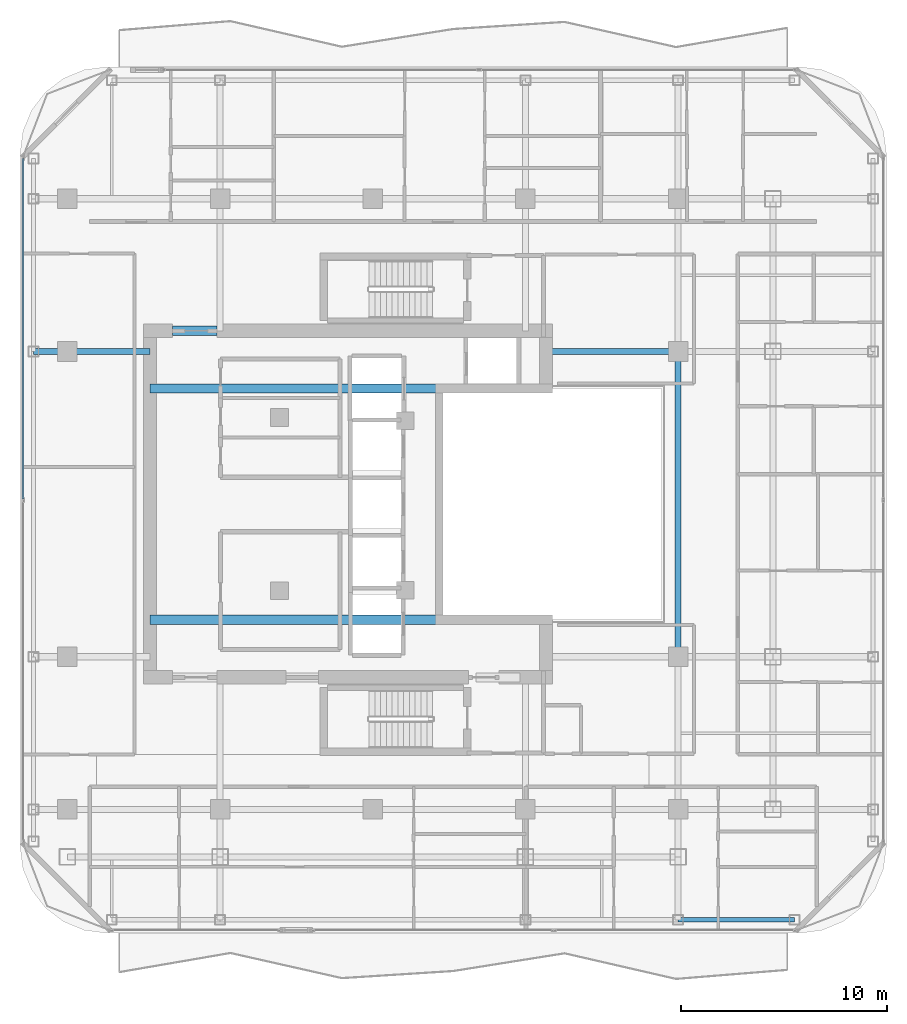
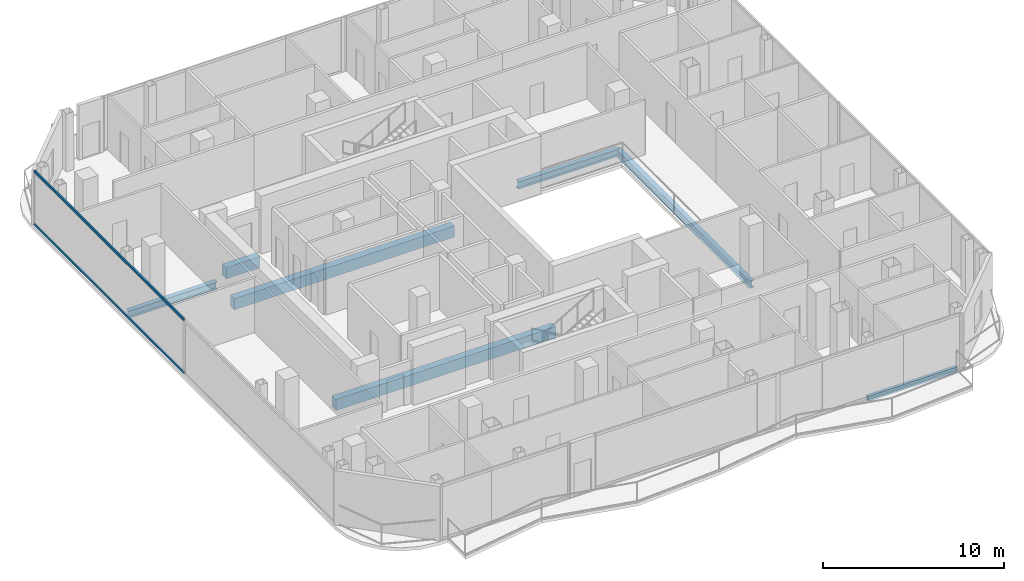
# One storey, part 6 of 23: 7 beams, 2 members, 1 element without a shape of its own.
"""IFC4 building model written with IfcOpenShell, lengths in metres."""

from ifc_helpers import new_model, si_unit, direction, frame, origin, origin_2d, place, context, subcontext, project, spatial, rectangle, hollow_rectangle, i_section, extrude, material, layer, layer_set, material_profile, profile_set, type_object, element, aggregate, save


model = new_model("IFC4")

# Units and contexts
model_context = context("Model", 3, precision=1e-05, world=origin(), true_north=direction((0.0, 1.0)))
body_context = subcontext(model_context, "Body", "Model", "MODEL_VIEW")
ifc_project = project(units=[si_unit("LENGTHUNIT", "METRE"), si_unit("AREAUNIT", "SQUARE_METRE"), si_unit("VOLUMEUNIT", "CUBIC_METRE"), si_unit("PLANEANGLEUNIT", "RADIAN"), si_unit("MASSUNIT", "GRAM", prefix="KILO")], contexts=[model_context])

# Site, building, storey
site_placement = place(None, origin())
site = spatial("IfcSite", under=ifc_project, at=site_placement, CompositionType="ELEMENT")
building_placement = place(site_placement, origin())
building = spatial("IfcBuilding", under=site, at=building_placement, Name="Khorvyn Point Tower", CompositionType="ELEMENT")
storey_placement = place(building_placement, frame((0.0, 0.0, 258.60009765625)))
storey = spatial("IfcBuildingStorey", under=building, at=storey_placement, Name="L63", CompositionType="ELEMENT", Elevation=258.60009765625)

# Curtain wall, members
ifc_material_1 = material(Name="Anodised aluminium 6063-T6 and laminated Low-E glass", Category="aluminium")
ifc_layer = layer(ifc_material_1, 0.18994140625)
ifc_layer_set = layer_set([ifc_layer], Name="Stick-Built High-Wind Curtain Wall CW-SYS-04")
curtain_wall_type = type_object("IfcCurtainWallType", Name="Stick-Built High-Wind Curtain Wall CW-SYS-04", PredefinedType="NOTDEFINED", material=ifc_layer_set)
curtain_wall_placement = place(storey_placement, origin())
curtain_wall = element("IfcCurtainWall", 1, at=curtain_wall_placement, inside=storey, type_object=curtain_wall_type, Name="Curtain Wall", PredefinedType="NOTDEFINED")
ifc_material_2 = material(Name="Anodised aluminium 6063-T6", Category="aluminium")
ifc_material_profile_1 = material_profile(ifc_material_2, hollow_rectangle(XDim=0.10009765625, YDim=0.159912109375, WallThickness=0.00439453125, at=origin_2d()))
ifc_profile_set_1 = profile_set([ifc_material_profile_1], Name="Anodised aluminium 6063-T6 ALU-TRN-100x160")
member_type = type_object("IfcMemberType", Name="Anodised Aluminium 6063-T6 Transom ALU-TRN-100x160", PredefinedType="USERDEFINED", material=ifc_profile_set_1)
member_1_placement = place(storey_placement, frame((-16.949951171875, 0.25, 0.0498046875), z_axis=(0.0, 1.0, 0.0), x_axis=(-1.0, 0.0, 0.0)))
member_1 = element("IfcMember", 2, at=member_1_placement, type_object=member_type, Name="Transom", ObjectType="TRANSOM", PredefinedType="USERDEFINED", context=body_context, shape_type="SweptSolid", body=[
    extrude(hollow_rectangle(XDim=0.10009765625, YDim=0.159912109375, WallThickness=0.00439453125, at=origin_2d()), origin(), (0.0, 0.0, 1.0), 16.5),
])
member_2_placement = place(storey_placement, frame((-16.949951171875, 0.25, 3.6298828125), z_axis=(0.0, 1.0, 0.0), x_axis=(-1.0, 0.0, 0.0)))
member_2 = element("IfcMember", 3, at=member_2_placement, type_object=member_type, Name="Transom", ObjectType="TRANSOM", PredefinedType="USERDEFINED", context=body_context, shape_type="SweptSolid", body=[
    extrude(hollow_rectangle(XDim=0.10009765625, YDim=0.159912109375, WallThickness=0.00439453125, at=origin_2d()), origin(), (0.0, 0.0, 1.0), 16.5),
])
aggregate(curtain_wall, [member_1, member_2])

# Beams
ifc_material_3 = material(Name="Concrete C40/50", Category="concrete")
ifc_material_profile_2 = material_profile(ifc_material_3, rectangle(XDim=0.449951171875, YDim=0.75, at=origin_2d()))
ifc_profile_set_2 = profile_set([ifc_material_profile_2], Name="Concrete C40/50 RC450x750")
beam_type_1 = type_object("IfcBeamType", Name="Concrete C40/50 Beam RC450x750", PredefinedType="BEAM", material=ifc_profile_set_2)
for number, where, z_axis, x_axis, name in (
    (4, (-10.800048828125, -5.60009765625, -0.59521484375), (1.0, 0.0, 0.0), (0.0, 1.0, 0.0), "L63 Core Internal Tie Girder S"),
    (5, (-10.800048828125, 5.60009765625, -0.59521484375), (1.0, 0.0, 0.0), (0.0, 1.0, 0.0), "L63 Core Internal Tie Girder N"),
):
    element("IfcBeam", number, at=place(storey_placement, frame(where, z_axis=z_axis, x_axis=x_axis)), inside=storey, type_object=beam_type_1, Name=name, PredefinedType="BEAM", context=body_context, shape_type="SweptSolid", body=[
        extrude(rectangle(XDim=0.449951171875, YDim=0.75, at=origin_2d()), origin(), (0.0, 0.0, 1.0), 14.02001953125),
    ])
beam_1_placement = place(storey_placement, frame((-9.699951171875, 8.39990234375, -0.59521484375), z_axis=(1.0, 0.0, 0.0), x_axis=(0.0, 1.0, 0.0)))
element("IfcBeam", 6, at=beam_1_placement, inside=storey, type_object=beam_type_1, Name="L63 Core Northwest Portal Coupling Beam", PredefinedType="BEAM", context=body_context, shape_type="SweptSolid", body=[
    extrude(rectangle(XDim=0.449951171875, YDim=0.75, at=origin_2d()), origin(), (0.0, 0.0, 1.0), 2.14990234375),
])
ifc_material_4 = material(Name="Steel S355", Category="steel")
ifc_material_profile_3 = material_profile(ifc_material_4, i_section(OverallWidth=0.300048828125, OverallDepth=0.488037109375, WebThickness=0.010986328125, FlangeThickness=0.01806640625, at=origin_2d()))
ifc_profile_set_3 = profile_set([ifc_material_profile_3], Name="Steel S355 H488x300x11x18")
beam_type_2 = type_object("IfcBeamType", Name="Steel S355 Spandrel H488x300x11x18", PredefinedType="SPANDREL", material=ifc_profile_set_3)
beam_2_placement = place(storey_placement, frame((-16.449951171875, 7.39990234375, -0.464111328125), z_axis=(1.0, 0.0, 0.0), x_axis=(0.0, 1.0, 0.0)))
element("IfcBeam", 7, at=beam_2_placement, inside=storey, type_object=beam_type_2, Name="Beam", PredefinedType="SPANDREL", context=body_context, shape_type="SweptSolid", body=[
    extrude(i_section(OverallWidth=0.300048828125, OverallDepth=0.488037109375, WebThickness=0.010986328125, FlangeThickness=0.01806640625, at=origin_2d()), origin(), (0.0, 0.0, 1.0), 5.64990234375),
])
beam_3_placement = place(storey_placement, frame((8.39990234375, 7.39990234375, -0.464111328125), z_axis=(1.0, 0.0, 0.0), x_axis=(0.0, 1.0, 0.0)))
element("IfcBeam", 8, at=beam_3_placement, inside=storey, type_object=beam_type_2, Name="Beam", PredefinedType="SPANDREL", context=body_context, shape_type="SweptSolid", body=[
    extrude(i_section(OverallWidth=0.300048828125, OverallDepth=0.488037109375, WebThickness=0.010986328125, FlangeThickness=0.01806640625, at=origin_2d()), origin(), (0.0, 0.0, 1.0), 6.400146484375),
])
beam_4_placement = place(storey_placement, frame((14.800048828125, -7.39990234375, -0.464111328125), z_axis=(0.0, 1.0, 0.0), x_axis=(-1.0, 0.0, 0.0)))
element("IfcBeam", 9, at=beam_4_placement, inside=storey, type_object=beam_type_2, Name="Beam", PredefinedType="SPANDREL", context=body_context, shape_type="SweptSolid", body=[
    extrude(i_section(OverallWidth=0.300048828125, OverallDepth=0.488037109375, WebThickness=0.010986328125, FlangeThickness=0.01806640625, at=origin_2d()), origin(), (0.0, 0.0, 1.0), 14.7998046875),
])
ifc_material_profile_4 = material_profile(ifc_material_4, hollow_rectangle(XDim=0.199951171875, YDim=0.35009765625, WallThickness=0.013916015625, at=origin_2d()))
ifc_profile_set_4 = profile_set([ifc_material_profile_4], Name="Steel S355 RHS350x200x14")
beam_type_3 = type_object("IfcBeamType", Name="Steel S355 Spandrel RHS350x200x14", PredefinedType="SPANDREL", material=ifc_profile_set_4)
beam_5_placement = place(storey_placement, frame((14.800048828125, -20.14990234375, -0.39501953125), z_axis=(1.0, 0.0, 0.0), x_axis=(0.0, 1.0, 0.0)))
element("IfcBeam", 10, at=beam_5_placement, inside=storey, type_object=beam_type_3, Name="Beam", PredefinedType="SPANDREL", context=body_context, shape_type="SweptSolid", body=[
    extrude(hollow_rectangle(XDim=0.199951171875, YDim=0.35009765625, WallThickness=0.013916015625, at=origin_2d()), origin(), (0.0, 0.0, 1.0), 5.64990234375),
])

save(model, "model.ifc")
